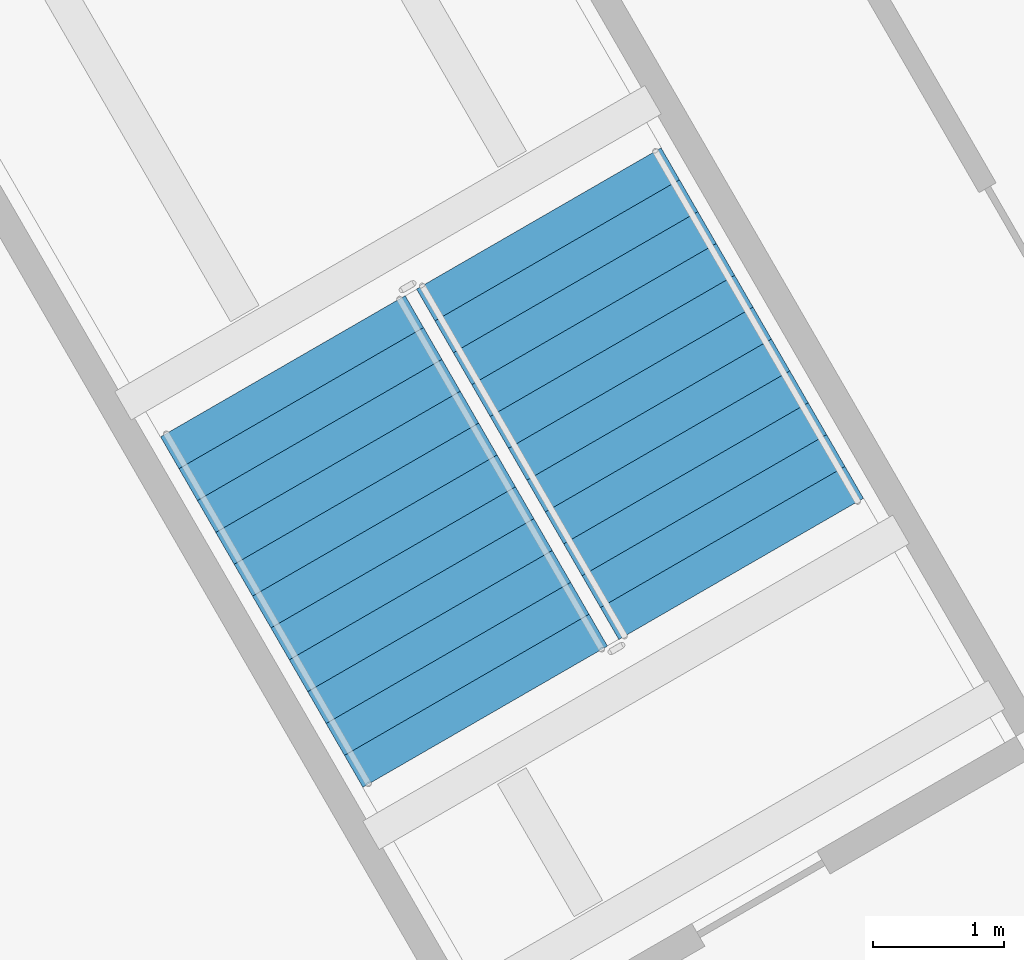
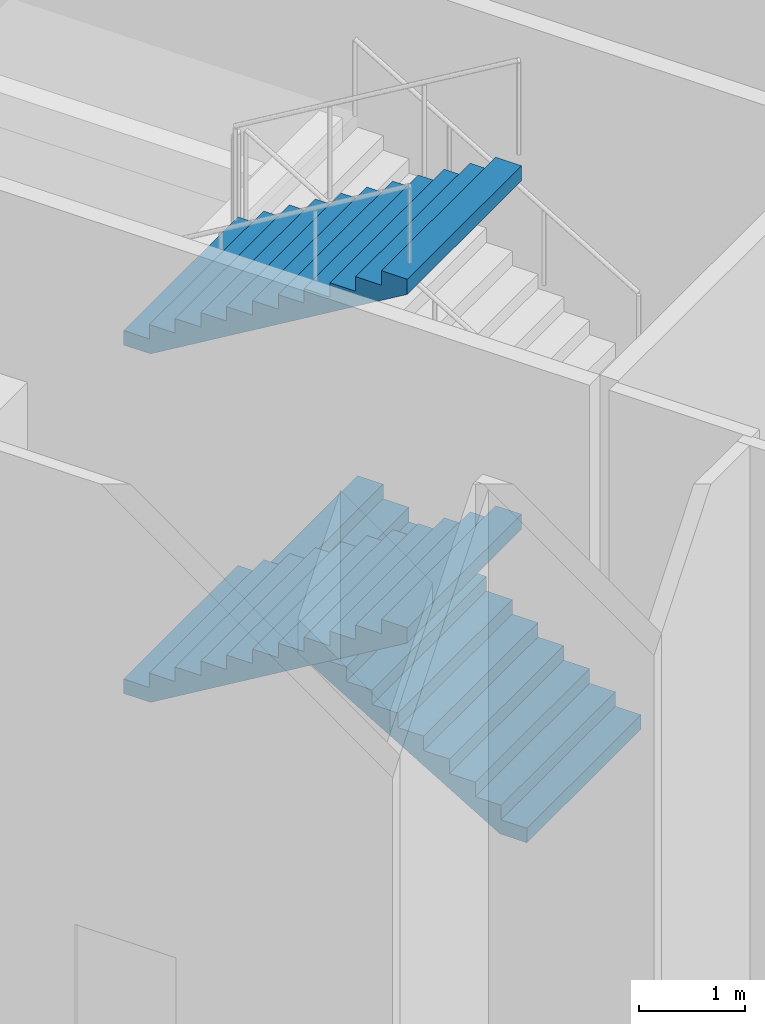
# One storey, part 13 of 30: 3 stair flights, 1 element without a shape of its own.
"""IFC4 building model written with IfcOpenShell, lengths in metres."""

from ifc_helpers import new_model, si_unit, direction, frame, origin, place, context, subcontext, project, spatial, triangles, material, type_object, element, aggregate, save


model = new_model("IFC4")

# Units and contexts
model_context = context("Model", 3, precision=1e-05, world=origin(), true_north=direction((0.0, 1.0)))
body_context = subcontext(model_context, "Body", "Model", "MODEL_VIEW")
ifc_project = project(units=[si_unit("LENGTHUNIT", "METRE"), si_unit("AREAUNIT", "SQUARE_METRE"), si_unit("VOLUMEUNIT", "CUBIC_METRE"), si_unit("PLANEANGLEUNIT", "RADIAN"), si_unit("MASSUNIT", "GRAM", prefix="KILO")], contexts=[model_context])

# Site, building, storey
site_placement = place(None, origin())
site = spatial("IfcSite", under=ifc_project, at=site_placement, CompositionType="ELEMENT")
building_placement = place(site_placement, origin())
building = spatial("IfcBuilding", under=site, at=building_placement, Name="Verdalira Terraces Hotel", CompositionType="ELEMENT")
storey_placement = place(building_placement, origin())
storey = spatial("IfcBuildingStorey", under=building, at=storey_placement, Name="L00", CompositionType="ELEMENT", Elevation=0.0)

# Stair, stair flights
ifc_material_1 = material(Name="Concrete C40", Category="concrete")
stair_type = type_object("IfcStairType", Name="Podium stair 48 risers", PredefinedType="HALF_TURN_STAIR", material=ifc_material_1)
stair_placement = place(storey_placement, origin())
stair = element("IfcStair", 1, at=stair_placement, inside=storey, type_object=stair_type, Name="L00 Exit stair PS2", PredefinedType="HALF_TURN_STAIR")
ifc_material_2 = material(Name="Concrete C40", Category="concrete")
stair_flight_type = type_object("IfcStairFlightType", Name="Podium stair flight 48 risers", PredefinedType="STRAIGHT", material=ifc_material_2)
stair_flight_1_placement = place(storey_placement, frame((-27.056396, -16.487061, 0.0), z_axis=(0.0, 0.0, 1.0), x_axis=(-0.5, 0.866025404, 0.0)))
stair_flight_1 = element("IfcStairFlight", 2, at=stair_flight_1_placement, type_object=stair_flight_type, Name="PS2 flight 1", NumberOfRisers=12, NumberOfTreads=11, PredefinedType="STRAIGHT", RiserHeight=0.166666667, TreadLength=0.28, context=body_context, shape_type="Tessellation", body=[
    triangles([(0.0, 1.074951, 0.0), (0.292969, 1.074951, 0.0), (3.080078, 1.074951, 1.658936), (0.0, -1.074951, 0.0), (0.292969, -1.074951, 0.0), (3.080078, -1.074951, 1.658936), (3.080078, 1.074951, 1.833252), (2.800049, 1.074951, 1.833252), (3.080078, -1.074951, 1.833252), (2.800049, -1.074951, 1.833252), (2.800049, 1.074951, 1.666748), (2.800049, -1.074951, 1.666748), (2.52002, 1.074951, 1.666748), (2.52002, -1.074951, 1.666748), (2.52002, 1.074951, 1.5), (2.52002, -1.074951, 1.5), (2.23999, 1.074951, 1.5), (2.23999, 1.074951, 1.333252), (2.23999, -1.074951, 1.5), (2.23999, -1.074951, 1.333252), (1.959961, 1.074951, 1.333252), (1.959961, 1.074951, 1.166748), (1.959961, -1.074951, 1.333252), (1.959961, -1.074951, 1.166748), (1.679932, 1.074951, 1.166748), (1.679932, 1.074951, 1.0), (1.679932, -1.074951, 1.166748), (1.679932, -1.074951, 1.0), (1.399902, 1.074951, 1.0), (1.399902, 1.074951, 0.833252), (1.399902, -1.074951, 1.0), (1.399902, -1.074951, 0.833252), (1.120117, 1.074951, 0.833252), (1.120117, 1.074951, 0.666748), (1.120117, -1.074951, 0.833252), (1.120117, -1.074951, 0.666748), (0.840088, 1.074951, 0.666748), (0.840088, 1.074951, 0.5), (0.840088, -1.074951, 0.666748), (0.840088, -1.074951, 0.5), (0.560059, 1.074951, 0.5), (0.560059, 1.074951, 0.333252), (0.560059, -1.074951, 0.5), (0.560059, -1.074951, 0.333252), (0.280029, 1.074951, 0.333252), (0.280029, 1.074951, 0.166748), (0.280029, -1.074951, 0.333252), (0.280029, -1.074951, 0.166748), (0.0, 1.074951, 0.166748), (0.0, -1.074951, 0.166748), (0.0, -1.007767, 0.0), (0.0, -1.007767, 0.166748), (0.0, -0.940582, 0.0), (0.0, -0.940582, 0.166748), (0.0, -0.873398, 0.0), (0.0, -0.873398, 0.166748), (0.0, -0.806213, 0.0), (0.0, -0.806213, 0.166748), (0.0, -0.739029, 0.0), (0.0, -0.739029, 0.166748), (0.0, -0.671844, 0.0), (0.0, -0.671844, 0.166748), (0.0, -0.60466, 0.0), (0.0, -0.60466, 0.166748), (0.0, -0.537476, 0.0), (0.0, -0.537476, 0.166748), (0.0, -0.470291, 0.0), (0.0, -0.470291, 0.166748), (0.0, -0.403107, 0.0), (0.0, -0.403107, 0.166748), (0.0, -0.335922, 0.0), (0.0, -0.335922, 0.166748), (0.0, -0.268738, 0.0), (0.0, -0.268738, 0.166748), (0.0, -0.201553, 0.0), (0.0, -0.201553, 0.166748), (0.0, -0.134369, 0.0), (0.0, -0.134369, 0.166748), (0.0, -0.067184, 0.0), (0.0, -0.067184, 0.166748), (0.0, 0.0, 0.0), (0.0, 0.0, 0.166748), (0.0, 0.067184, 0.0), (0.0, 0.067184, 0.166748), (0.0, 0.134369, 0.0), (0.0, 0.134369, 0.166748), (0.0, 0.201553, 0.0), (0.0, 0.201553, 0.166748), (0.0, 0.268738, 0.0), (0.0, 0.268738, 0.166748), (0.0, 0.335922, 0.0), (0.0, 0.335922, 0.166748), (0.0, 0.403107, 0.0), (0.0, 0.403107, 0.166748), (0.0, 0.470291, 0.0), (0.0, 0.470291, 0.166748), (0.0, 0.537476, 0.0), (0.0, 0.537476, 0.166748), (0.0, 0.60466, 0.0), (0.0, 0.60466, 0.166748), (0.0, 0.671844, 0.0), (0.0, 0.671844, 0.166748), (0.0, 0.739029, 0.0), (0.0, 0.739029, 0.166748), (0.0, 0.806213, 0.0), (0.0, 0.806213, 0.166748), (0.0, 0.873398, 0.0), (0.0, 0.873398, 0.166748), (0.0, 0.940582, 0.0), (0.0, 0.940582, 0.166748), (0.0, 1.007767, 0.0), (0.0, 1.007767, 0.166748), (3.080078, -1.007767, 1.833252), (3.080078, -0.940582, 1.833252), (3.080078, -0.873398, 1.833252), (3.080078, -0.806213, 1.833252), (3.080078, -0.739029, 1.833252), (3.080078, -0.671844, 1.833252), (3.080078, -0.60466, 1.833252), (3.080078, -0.537476, 1.833252), (3.080078, -0.470291, 1.833252), (3.080078, -0.403107, 1.833252), (3.080078, -0.335922, 1.833252), (3.080078, -0.268738, 1.833252), (3.080078, -0.201553, 1.833252), (3.080078, -0.134369, 1.833252), (3.080078, -0.067184, 1.833252), (3.080078, 0.0, 1.833252), (3.080078, 0.067184, 1.833252), (3.080078, 0.134369, 1.833252), (3.080078, 0.201553, 1.833252), (3.080078, 0.268738, 1.833252), (3.080078, 0.335922, 1.833252), (3.080078, 0.403107, 1.833252), (3.080078, 0.470291, 1.833252), (3.080078, 0.537476, 1.833252), (3.080078, 0.60466, 1.833252), (3.080078, 0.671844, 1.833252), (3.080078, 0.739029, 1.833252), (3.080078, 0.806213, 1.833252), (3.080078, 0.873398, 1.833252), (3.080078, 0.940582, 1.833252), (3.080078, 1.007767, 1.833252), (3.080078, -1.007767, 1.658936), (3.080078, -0.940582, 1.658936), (3.080078, -0.873398, 1.658936), (3.080078, -0.806213, 1.658936), (3.080078, -0.739029, 1.658936), (3.080078, -0.671844, 1.658936), (3.080078, -0.60466, 1.658936), (3.080078, -0.537476, 1.658936), (3.080078, -0.470291, 1.658936), (3.080078, -0.403107, 1.658936), (3.080078, -0.335922, 1.658936), (3.080078, -0.268738, 1.658936), (3.080078, -0.201553, 1.658936), (3.080078, -0.134369, 1.658936), (3.080078, -0.067184, 1.658936), (3.080078, 0.0, 1.658936), (3.080078, 0.067184, 1.658936), (3.080078, 0.134369, 1.658936), (3.080078, 0.201553, 1.658936), (3.080078, 0.268738, 1.658936), (3.080078, 0.335922, 1.658936), (3.080078, 0.403107, 1.658936), (3.080078, 0.470291, 1.658936), (3.080078, 0.537476, 1.658936), (3.080078, 0.60466, 1.658936), (3.080078, 0.671844, 1.658936), (3.080078, 0.739029, 1.658936), (3.080078, 0.806213, 1.658936), (3.080078, 0.873398, 1.658936), (3.080078, 0.940582, 1.658936), (3.080078, 1.007767, 1.658936)], [[1, 3, 2], [4, 5, 6], [3, 8, 7], [6, 9, 10], [3, 11, 8], [6, 10, 12], [3, 13, 11], [6, 12, 14], [3, 15, 13], [6, 14, 16], [15, 18, 17], [16, 19, 20], [3, 18, 15], [6, 16, 20], [18, 22, 21], [20, 23, 24], [3, 22, 18], [6, 20, 24], [22, 26, 25], [24, 27, 28], [3, 26, 22], [6, 24, 28], [26, 30, 29], [28, 31, 32], [3, 30, 26], [6, 28, 32], [30, 34, 33], [32, 35, 36], [3, 34, 30], [6, 32, 36], [34, 38, 37], [36, 39, 40], [3, 38, 34], [6, 36, 40], [38, 42, 41], [40, 43, 44], [3, 42, 38], [6, 40, 44], [1, 42, 3], [4, 6, 44], [42, 46, 45], [44, 47, 48], [1, 46, 42], [4, 44, 48], [46, 1, 49], [48, 50, 4], [4, 52, 51], [4, 50, 52], [51, 54, 53], [51, 52, 54], [53, 56, 55], [53, 54, 56], [55, 58, 57], [55, 56, 58], [57, 60, 59], [57, 58, 60], [59, 62, 61], [59, 60, 62], [61, 64, 63], [61, 62, 64], [63, 66, 65], [63, 64, 66], [65, 68, 67], [65, 66, 68], [67, 70, 69], [67, 68, 70], [69, 72, 71], [69, 70, 72], [71, 74, 73], [71, 72, 74], [73, 76, 75], [73, 74, 76], [75, 78, 77], [75, 76, 78], [77, 80, 79], [77, 78, 80], [79, 82, 81], [79, 80, 82], [81, 84, 83], [81, 82, 84], [83, 86, 85], [83, 84, 86], [85, 88, 87], [85, 86, 88], [87, 90, 89], [87, 88, 90], [89, 92, 91], [89, 90, 92], [91, 94, 93], [91, 92, 94], [93, 96, 95], [93, 94, 96], [95, 98, 97], [95, 96, 98], [97, 100, 99], [97, 98, 100], [99, 102, 101], [99, 100, 102], [101, 104, 103], [101, 102, 104], [103, 106, 105], [103, 104, 106], [105, 108, 107], [105, 106, 108], [107, 110, 109], [107, 108, 110], [109, 112, 111], [109, 110, 112], [111, 49, 1], [111, 112, 49], [50, 48, 52], [52, 48, 54], [54, 48, 56], [56, 48, 58], [58, 48, 60], [60, 48, 62], [62, 48, 64], [64, 48, 66], [66, 48, 68], [68, 48, 70], [70, 48, 72], [72, 48, 74], [74, 48, 76], [76, 48, 78], [78, 48, 80], [80, 48, 82], [82, 48, 84], [84, 48, 86], [86, 48, 88], [88, 48, 90], [90, 48, 92], [92, 48, 94], [94, 48, 96], [96, 48, 98], [98, 48, 100], [100, 48, 102], [102, 48, 104], [104, 48, 106], [106, 48, 108], [108, 48, 110], [110, 48, 112], [112, 48, 49], [49, 48, 46], [48, 45, 46], [48, 47, 45], [47, 42, 45], [47, 44, 42], [44, 41, 42], [44, 43, 41], [43, 38, 41], [43, 40, 38], [40, 37, 38], [40, 39, 37], [39, 34, 37], [39, 36, 34], [36, 33, 34], [36, 35, 33], [35, 30, 33], [35, 32, 30], [32, 29, 30], [32, 31, 29], [31, 26, 29], [31, 28, 26], [28, 25, 26], [28, 27, 25], [27, 22, 25], [27, 24, 22], [24, 21, 22], [24, 23, 21], [23, 18, 21], [23, 20, 18], [20, 17, 18], [20, 19, 17], [19, 15, 17], [19, 16, 15], [16, 13, 15], [16, 14, 13], [14, 11, 13], [14, 12, 11], [12, 8, 11], [12, 10, 8], [9, 113, 10], [113, 114, 10], [114, 115, 10], [115, 116, 10], [116, 117, 10], [117, 118, 10], [118, 119, 10], [119, 120, 10], [120, 121, 10], [121, 122, 10], [122, 123, 10], [123, 124, 10], [124, 125, 10], [125, 126, 10], [126, 127, 10], [127, 128, 10], [128, 129, 10], [129, 130, 10], [130, 131, 10], [131, 132, 10], [132, 133, 10], [133, 134, 10], [134, 135, 10], [135, 136, 10], [136, 137, 10], [137, 138, 10], [138, 139, 10], [139, 140, 10], [140, 141, 10], [141, 142, 10], [142, 143, 10], [143, 7, 10], [7, 8, 10], [9, 144, 113], [9, 6, 144], [113, 145, 114], [113, 144, 145], [114, 146, 115], [114, 145, 146], [115, 147, 116], [115, 146, 147], [116, 148, 117], [116, 147, 148], [117, 149, 118], [117, 148, 149], [118, 150, 119], [118, 149, 150], [119, 151, 120], [119, 150, 151], [120, 152, 121], [120, 151, 152], [121, 153, 122], [121, 152, 153], [122, 154, 123], [122, 153, 154], [123, 155, 124], [123, 154, 155], [124, 156, 125], [124, 155, 156], [125, 157, 126], [125, 156, 157], [126, 158, 127], [126, 157, 158], [127, 159, 128], [127, 158, 159], [128, 160, 129], [128, 159, 160], [129, 161, 130], [129, 160, 161], [130, 162, 131], [130, 161, 162], [131, 163, 132], [131, 162, 163], [132, 164, 133], [132, 163, 164], [133, 165, 134], [133, 164, 165], [134, 166, 135], [134, 165, 166], [135, 167, 136], [135, 166, 167], [136, 168, 137], [136, 167, 168], [137, 169, 138], [137, 168, 169], [138, 170, 139], [138, 169, 170], [139, 171, 140], [139, 170, 171], [140, 172, 141], [140, 171, 172], [141, 173, 142], [141, 172, 173], [142, 174, 143], [142, 173, 174], [143, 3, 7], [143, 174, 3], [6, 5, 144], [144, 5, 145], [145, 5, 146], [146, 5, 147], [147, 5, 148], [148, 5, 149], [149, 5, 150], [150, 5, 151], [151, 5, 152], [152, 5, 153], [153, 5, 154], [154, 5, 155], [155, 5, 156], [156, 5, 157], [157, 5, 158], [158, 5, 159], [159, 5, 160], [160, 5, 161], [161, 5, 162], [162, 5, 163], [163, 5, 164], [164, 5, 165], [165, 5, 166], [166, 5, 167], [167, 5, 168], [168, 5, 169], [169, 5, 170], [170, 5, 171], [171, 5, 172], [172, 5, 173], [173, 5, 174], [174, 5, 3], [3, 5, 2], [4, 51, 5], [51, 53, 5], [53, 55, 5], [55, 57, 5], [57, 59, 5], [59, 61, 5], [61, 63, 5], [63, 65, 5], [65, 67, 5], [67, 69, 5], [69, 71, 5], [71, 73, 5], [73, 75, 5], [75, 77, 5], [77, 79, 5], [79, 81, 5], [81, 83, 5], [83, 85, 5], [85, 87, 5], [87, 89, 5], [89, 91, 5], [91, 93, 5], [93, 95, 5], [95, 97, 5], [97, 99, 5], [99, 101, 5], [101, 103, 5], [103, 105, 5], [105, 107, 5], [107, 109, 5], [109, 111, 5], [111, 1, 5], [1, 2, 5]], closed=True),
])
stair_flight_2_placement = place(storey_placement, frame((-30.544922, -14.94458, 2.0), z_axis=(0.0, 0.0, 1.0), x_axis=(0.5, -0.866025404, 0.0)))
stair_flight_2 = element("IfcStairFlight", 3, at=stair_flight_2_placement, type_object=stair_flight_type, Name="PS2 flight 2", NumberOfRisers=12, NumberOfTreads=11, PredefinedType="STRAIGHT", RiserHeight=0.166666667, TreadLength=0.28, context=body_context, shape_type="Tessellation", body=[
    triangles([(0.0, 1.074951, 0.0), (0.292969, 1.074951, 0.0), (3.080078, 1.074951, 1.658936), (0.0, -1.074951, 0.0), (0.292969, -1.074951, 0.0), (3.080078, -1.074951, 1.658936), (3.080078, 1.074951, 1.833252), (2.800049, 1.074951, 1.833252), (3.080078, -1.074951, 1.833252), (2.800049, -1.074951, 1.833252), (2.800049, 1.074951, 1.666748), (2.800049, -1.074951, 1.666748), (2.52002, 1.074951, 1.666748), (2.52002, -1.074951, 1.666748), (2.52002, 1.074951, 1.5), (2.52002, -1.074951, 1.5), (2.23999, 1.074951, 1.5), (2.23999, 1.074951, 1.333252), (2.23999, -1.074951, 1.5), (2.23999, -1.074951, 1.333252), (1.959961, 1.074951, 1.333252), (1.959961, 1.074951, 1.166748), (1.959961, -1.074951, 1.333252), (1.959961, -1.074951, 1.166748), (1.679932, 1.074951, 1.166748), (1.679932, 1.074951, 1.0), (1.679932, -1.074951, 1.166748), (1.679932, -1.074951, 1.0), (1.399902, 1.074951, 1.0), (1.399902, 1.074951, 0.833252), (1.399902, -1.074951, 1.0), (1.399902, -1.074951, 0.833252), (1.120117, 1.074951, 0.833252), (1.120117, 1.074951, 0.666748), (1.120117, -1.074951, 0.833252), (1.120117, -1.074951, 0.666748), (0.840088, 1.074951, 0.666748), (0.840088, 1.074951, 0.5), (0.840088, -1.074951, 0.666748), (0.840088, -1.074951, 0.5), (0.560059, 1.074951, 0.5), (0.560059, 1.074951, 0.333252), (0.560059, -1.074951, 0.5), (0.560059, -1.074951, 0.333252), (0.280029, 1.074951, 0.333252), (0.280029, 1.074951, 0.166748), (0.280029, -1.074951, 0.333252), (0.280029, -1.074951, 0.166748), (0.0, 1.074951, 0.166748), (0.0, -1.074951, 0.166748), (0.0, -1.007767, 0.0), (0.0, -1.007767, 0.166748), (0.0, -0.940582, 0.0), (0.0, -0.940582, 0.166748), (0.0, -0.873398, 0.0), (0.0, -0.873398, 0.166748), (0.0, -0.806213, 0.0), (0.0, -0.806213, 0.166748), (0.0, -0.739029, 0.0), (0.0, -0.739029, 0.166748), (0.0, -0.671844, 0.0), (0.0, -0.671844, 0.166748), (0.0, -0.60466, 0.0), (0.0, -0.60466, 0.166748), (0.0, -0.537476, 0.0), (0.0, -0.537476, 0.166748), (0.0, -0.470291, 0.0), (0.0, -0.470291, 0.166748), (0.0, -0.403107, 0.0), (0.0, -0.403107, 0.166748), (0.0, -0.335922, 0.0), (0.0, -0.335922, 0.166748), (0.0, -0.268738, 0.0), (0.0, -0.268738, 0.166748), (0.0, -0.201553, 0.0), (0.0, -0.201553, 0.166748), (0.0, -0.134369, 0.0), (0.0, -0.134369, 0.166748), (0.0, -0.067184, 0.0), (0.0, -0.067184, 0.166748), (0.0, 0.0, 0.0), (0.0, 0.0, 0.166748), (0.0, 0.067184, 0.0), (0.0, 0.067184, 0.166748), (0.0, 0.134369, 0.0), (0.0, 0.134369, 0.166748), (0.0, 0.201553, 0.0), (0.0, 0.201553, 0.166748), (0.0, 0.268738, 0.0), (0.0, 0.268738, 0.166748), (0.0, 0.335922, 0.0), (0.0, 0.335922, 0.166748), (0.0, 0.403107, 0.0), (0.0, 0.403107, 0.166748), (0.0, 0.470291, 0.0), (0.0, 0.470291, 0.166748), (0.0, 0.537476, 0.0), (0.0, 0.537476, 0.166748), (0.0, 0.60466, 0.0), (0.0, 0.60466, 0.166748), (0.0, 0.671844, 0.0), (0.0, 0.671844, 0.166748), (0.0, 0.739029, 0.0), (0.0, 0.739029, 0.166748), (0.0, 0.806213, 0.0), (0.0, 0.806213, 0.166748), (0.0, 0.873398, 0.0), (0.0, 0.873398, 0.166748), (0.0, 0.940582, 0.0), (0.0, 0.940582, 0.166748), (0.0, 1.007767, 0.0), (0.0, 1.007767, 0.166748), (3.080078, -1.007767, 1.833252), (3.080078, -0.940582, 1.833252), (3.080078, -0.873398, 1.833252), (3.080078, -0.806213, 1.833252), (3.080078, -0.739029, 1.833252), (3.080078, -0.671844, 1.833252), (3.080078, -0.60466, 1.833252), (3.080078, -0.537476, 1.833252), (3.080078, -0.470291, 1.833252), (3.080078, -0.403107, 1.833252), (3.080078, -0.335922, 1.833252), (3.080078, -0.268738, 1.833252), (3.080078, -0.201553, 1.833252), (3.080078, -0.134369, 1.833252), (3.080078, -0.067184, 1.833252), (3.080078, 0.0, 1.833252), (3.080078, 0.067184, 1.833252), (3.080078, 0.134369, 1.833252), (3.080078, 0.201553, 1.833252), (3.080078, 0.268738, 1.833252), (3.080078, 0.335922, 1.833252), (3.080078, 0.403107, 1.833252), (3.080078, 0.470291, 1.833252), (3.080078, 0.537476, 1.833252), (3.080078, 0.60466, 1.833252), (3.080078, 0.671844, 1.833252), (3.080078, 0.739029, 1.833252), (3.080078, 0.806213, 1.833252), (3.080078, 0.873398, 1.833252), (3.080078, 0.940582, 1.833252), (3.080078, 1.007767, 1.833252), (3.080078, -1.007767, 1.658936), (3.080078, -0.940582, 1.658936), (3.080078, -0.873398, 1.658936), (3.080078, -0.806213, 1.658936), (3.080078, -0.739029, 1.658936), (3.080078, -0.671844, 1.658936), (3.080078, -0.60466, 1.658936), (3.080078, -0.537476, 1.658936), (3.080078, -0.470291, 1.658936), (3.080078, -0.403107, 1.658936), (3.080078, -0.335922, 1.658936), (3.080078, -0.268738, 1.658936), (3.080078, -0.201553, 1.658936), (3.080078, -0.134369, 1.658936), (3.080078, -0.067184, 1.658936), (3.080078, 0.0, 1.658936), (3.080078, 0.067184, 1.658936), (3.080078, 0.134369, 1.658936), (3.080078, 0.201553, 1.658936), (3.080078, 0.268738, 1.658936), (3.080078, 0.335922, 1.658936), (3.080078, 0.403107, 1.658936), (3.080078, 0.470291, 1.658936), (3.080078, 0.537476, 1.658936), (3.080078, 0.60466, 1.658936), (3.080078, 0.671844, 1.658936), (3.080078, 0.739029, 1.658936), (3.080078, 0.806213, 1.658936), (3.080078, 0.873398, 1.658936), (3.080078, 0.940582, 1.658936), (3.080078, 1.007767, 1.658936)], [[1, 3, 2], [4, 5, 6], [3, 8, 7], [6, 9, 10], [3, 11, 8], [6, 10, 12], [3, 13, 11], [6, 12, 14], [3, 15, 13], [6, 14, 16], [15, 18, 17], [16, 19, 20], [3, 18, 15], [6, 16, 20], [18, 22, 21], [20, 23, 24], [3, 22, 18], [6, 20, 24], [22, 26, 25], [24, 27, 28], [3, 26, 22], [6, 24, 28], [26, 30, 29], [28, 31, 32], [3, 30, 26], [6, 28, 32], [30, 34, 33], [32, 35, 36], [3, 34, 30], [6, 32, 36], [34, 38, 37], [36, 39, 40], [3, 38, 34], [6, 36, 40], [38, 42, 41], [40, 43, 44], [3, 42, 38], [6, 40, 44], [1, 42, 3], [4, 6, 44], [42, 46, 45], [44, 47, 48], [1, 46, 42], [4, 44, 48], [46, 1, 49], [48, 50, 4], [4, 52, 51], [4, 50, 52], [51, 54, 53], [51, 52, 54], [53, 56, 55], [53, 54, 56], [55, 58, 57], [55, 56, 58], [57, 60, 59], [57, 58, 60], [59, 62, 61], [59, 60, 62], [61, 64, 63], [61, 62, 64], [63, 66, 65], [63, 64, 66], [65, 68, 67], [65, 66, 68], [67, 70, 69], [67, 68, 70], [69, 72, 71], [69, 70, 72], [71, 74, 73], [71, 72, 74], [73, 76, 75], [73, 74, 76], [75, 78, 77], [75, 76, 78], [77, 80, 79], [77, 78, 80], [79, 82, 81], [79, 80, 82], [81, 84, 83], [81, 82, 84], [83, 86, 85], [83, 84, 86], [85, 88, 87], [85, 86, 88], [87, 90, 89], [87, 88, 90], [89, 92, 91], [89, 90, 92], [91, 94, 93], [91, 92, 94], [93, 96, 95], [93, 94, 96], [95, 98, 97], [95, 96, 98], [97, 100, 99], [97, 98, 100], [99, 102, 101], [99, 100, 102], [101, 104, 103], [101, 102, 104], [103, 106, 105], [103, 104, 106], [105, 108, 107], [105, 106, 108], [107, 110, 109], [107, 108, 110], [109, 112, 111], [109, 110, 112], [111, 49, 1], [111, 112, 49], [50, 48, 52], [52, 48, 54], [54, 48, 56], [56, 48, 58], [58, 48, 60], [60, 48, 62], [62, 48, 64], [64, 48, 66], [66, 48, 68], [68, 48, 70], [70, 48, 72], [72, 48, 74], [74, 48, 76], [76, 48, 78], [78, 48, 80], [80, 48, 82], [82, 48, 84], [84, 48, 86], [86, 48, 88], [88, 48, 90], [90, 48, 92], [92, 48, 94], [94, 48, 96], [96, 48, 98], [98, 48, 100], [100, 48, 102], [102, 48, 104], [104, 48, 106], [106, 48, 108], [108, 48, 110], [110, 48, 112], [112, 48, 49], [49, 48, 46], [48, 45, 46], [48, 47, 45], [47, 42, 45], [47, 44, 42], [44, 41, 42], [44, 43, 41], [43, 38, 41], [43, 40, 38], [40, 37, 38], [40, 39, 37], [39, 34, 37], [39, 36, 34], [36, 33, 34], [36, 35, 33], [35, 30, 33], [35, 32, 30], [32, 29, 30], [32, 31, 29], [31, 26, 29], [31, 28, 26], [28, 25, 26], [28, 27, 25], [27, 22, 25], [27, 24, 22], [24, 21, 22], [24, 23, 21], [23, 18, 21], [23, 20, 18], [20, 17, 18], [20, 19, 17], [19, 15, 17], [19, 16, 15], [16, 13, 15], [16, 14, 13], [14, 11, 13], [14, 12, 11], [12, 8, 11], [12, 10, 8], [9, 113, 10], [113, 114, 10], [114, 115, 10], [115, 116, 10], [116, 117, 10], [117, 118, 10], [118, 119, 10], [119, 120, 10], [120, 121, 10], [121, 122, 10], [122, 123, 10], [123, 124, 10], [124, 125, 10], [125, 126, 10], [126, 127, 10], [127, 128, 10], [128, 129, 10], [129, 130, 10], [130, 131, 10], [131, 132, 10], [132, 133, 10], [133, 134, 10], [134, 135, 10], [135, 136, 10], [136, 137, 10], [137, 138, 10], [138, 139, 10], [139, 140, 10], [140, 141, 10], [141, 142, 10], [142, 143, 10], [143, 7, 10], [7, 8, 10], [9, 144, 113], [9, 6, 144], [113, 145, 114], [113, 144, 145], [114, 146, 115], [114, 145, 146], [115, 147, 116], [115, 146, 147], [116, 148, 117], [116, 147, 148], [117, 149, 118], [117, 148, 149], [118, 150, 119], [118, 149, 150], [119, 151, 120], [119, 150, 151], [120, 152, 121], [120, 151, 152], [121, 153, 122], [121, 152, 153], [122, 154, 123], [122, 153, 154], [123, 155, 124], [123, 154, 155], [124, 156, 125], [124, 155, 156], [125, 157, 126], [125, 156, 157], [126, 158, 127], [126, 157, 158], [127, 159, 128], [127, 158, 159], [128, 160, 129], [128, 159, 160], [129, 161, 130], [129, 160, 161], [130, 162, 131], [130, 161, 162], [131, 163, 132], [131, 162, 163], [132, 164, 133], [132, 163, 164], [133, 165, 134], [133, 164, 165], [134, 166, 135], [134, 165, 166], [135, 167, 136], [135, 166, 167], [136, 168, 137], [136, 167, 168], [137, 169, 138], [137, 168, 169], [138, 170, 139], [138, 169, 170], [139, 171, 140], [139, 170, 171], [140, 172, 141], [140, 171, 172], [141, 173, 142], [141, 172, 173], [142, 174, 143], [142, 173, 174], [143, 3, 7], [143, 174, 3], [6, 5, 144], [144, 5, 145], [145, 5, 146], [146, 5, 147], [147, 5, 148], [148, 5, 149], [149, 5, 150], [150, 5, 151], [151, 5, 152], [152, 5, 153], [153, 5, 154], [154, 5, 155], [155, 5, 156], [156, 5, 157], [157, 5, 158], [158, 5, 159], [159, 5, 160], [160, 5, 161], [161, 5, 162], [162, 5, 163], [163, 5, 164], [164, 5, 165], [165, 5, 166], [166, 5, 167], [167, 5, 168], [168, 5, 169], [169, 5, 170], [170, 5, 171], [171, 5, 172], [172, 5, 173], [173, 5, 174], [174, 5, 3], [3, 5, 2], [4, 51, 5], [51, 53, 5], [53, 55, 5], [55, 57, 5], [57, 59, 5], [59, 61, 5], [61, 63, 5], [63, 65, 5], [65, 67, 5], [67, 69, 5], [69, 71, 5], [71, 73, 5], [73, 75, 5], [75, 77, 5], [77, 79, 5], [79, 81, 5], [81, 83, 5], [83, 85, 5], [85, 87, 5], [87, 89, 5], [89, 91, 5], [91, 93, 5], [93, 95, 5], [95, 97, 5], [97, 99, 5], [99, 101, 5], [101, 103, 5], [103, 105, 5], [105, 107, 5], [107, 109, 5], [109, 111, 5], [111, 1, 5], [1, 2, 5]], closed=True),
])
stair_flight_3_placement = place(storey_placement, frame((-30.544922, -14.94458, 6.0), z_axis=(0.0, 0.0, 1.0), x_axis=(0.5, -0.866025404, 0.0)))
stair_flight_3 = element("IfcStairFlight", 4, at=stair_flight_3_placement, type_object=stair_flight_type, Name="PS2 flight 4", NumberOfRisers=12, NumberOfTreads=11, PredefinedType="STRAIGHT", RiserHeight=0.166666667, TreadLength=0.28, context=body_context, shape_type="Tessellation", body=[
    triangles([(0.0, 1.074951, 0.0), (0.292969, 1.074951, 0.0), (3.080078, 1.074951, 1.658936), (0.0, -1.074951, 0.0), (0.292969, -1.074951, 0.0), (3.080078, -1.074951, 1.658936), (3.080078, 1.074951, 1.833252), (2.800049, 1.074951, 1.833252), (3.080078, -1.074951, 1.833252), (2.800049, -1.074951, 1.833252), (2.800049, 1.074951, 1.666748), (2.800049, -1.074951, 1.666748), (2.52002, 1.074951, 1.666748), (2.52002, -1.074951, 1.666748), (2.52002, 1.074951, 1.5), (2.52002, -1.074951, 1.5), (2.23999, 1.074951, 1.5), (2.23999, 1.074951, 1.333252), (2.23999, -1.074951, 1.5), (2.23999, -1.074951, 1.333252), (1.959961, 1.074951, 1.333252), (1.959961, 1.074951, 1.166748), (1.959961, -1.074951, 1.333252), (1.959961, -1.074951, 1.166748), (1.679932, 1.074951, 1.166748), (1.679932, 1.074951, 1.0), (1.679932, -1.074951, 1.166748), (1.679932, -1.074951, 1.0), (1.399902, 1.074951, 1.0), (1.399902, 1.074951, 0.833252), (1.399902, -1.074951, 1.0), (1.399902, -1.074951, 0.833252), (1.120117, 1.074951, 0.833252), (1.120117, 1.074951, 0.666748), (1.120117, -1.074951, 0.833252), (1.120117, -1.074951, 0.666748), (0.840088, 1.074951, 0.666748), (0.840088, 1.074951, 0.5), (0.840088, -1.074951, 0.666748), (0.840088, -1.074951, 0.5), (0.560059, 1.074951, 0.5), (0.560059, 1.074951, 0.333252), (0.560059, -1.074951, 0.5), (0.560059, -1.074951, 0.333252), (0.280029, 1.074951, 0.333252), (0.280029, 1.074951, 0.166748), (0.280029, -1.074951, 0.333252), (0.280029, -1.074951, 0.166748), (0.0, 1.074951, 0.166748), (0.0, -1.074951, 0.166748), (0.0, -1.007767, 0.0), (0.0, -1.007767, 0.166748), (0.0, -0.940582, 0.0), (0.0, -0.940582, 0.166748), (0.0, -0.873398, 0.0), (0.0, -0.873398, 0.166748), (0.0, -0.806213, 0.0), (0.0, -0.806213, 0.166748), (0.0, -0.739029, 0.0), (0.0, -0.739029, 0.166748), (0.0, -0.671844, 0.0), (0.0, -0.671844, 0.166748), (0.0, -0.60466, 0.0), (0.0, -0.60466, 0.166748), (0.0, -0.537476, 0.0), (0.0, -0.537476, 0.166748), (0.0, -0.470291, 0.0), (0.0, -0.470291, 0.166748), (0.0, -0.403107, 0.0), (0.0, -0.403107, 0.166748), (0.0, -0.335922, 0.0), (0.0, -0.335922, 0.166748), (0.0, -0.268738, 0.0), (0.0, -0.268738, 0.166748), (0.0, -0.201553, 0.0), (0.0, -0.201553, 0.166748), (0.0, -0.134369, 0.0), (0.0, -0.134369, 0.166748), (0.0, -0.067184, 0.0), (0.0, -0.067184, 0.166748), (0.0, 0.0, 0.0), (0.0, 0.0, 0.166748), (0.0, 0.067184, 0.0), (0.0, 0.067184, 0.166748), (0.0, 0.134369, 0.0), (0.0, 0.134369, 0.166748), (0.0, 0.201553, 0.0), (0.0, 0.201553, 0.166748), (0.0, 0.268738, 0.0), (0.0, 0.268738, 0.166748), (0.0, 0.335922, 0.0), (0.0, 0.335922, 0.166748), (0.0, 0.403107, 0.0), (0.0, 0.403107, 0.166748), (0.0, 0.470291, 0.0), (0.0, 0.470291, 0.166748), (0.0, 0.537476, 0.0), (0.0, 0.537476, 0.166748), (0.0, 0.60466, 0.0), (0.0, 0.60466, 0.166748), (0.0, 0.671844, 0.0), (0.0, 0.671844, 0.166748), (0.0, 0.739029, 0.0), (0.0, 0.739029, 0.166748), (0.0, 0.806213, 0.0), (0.0, 0.806213, 0.166748), (0.0, 0.873398, 0.0), (0.0, 0.873398, 0.166748), (0.0, 0.940582, 0.0), (0.0, 0.940582, 0.166748), (0.0, 1.007767, 0.0), (0.0, 1.007767, 0.166748), (3.080078, -1.007767, 1.833252), (3.080078, -0.940582, 1.833252), (3.080078, -0.873398, 1.833252), (3.080078, -0.806213, 1.833252), (3.080078, -0.739029, 1.833252), (3.080078, -0.671844, 1.833252), (3.080078, -0.60466, 1.833252), (3.080078, -0.537476, 1.833252), (3.080078, -0.470291, 1.833252), (3.080078, -0.403107, 1.833252), (3.080078, -0.335922, 1.833252), (3.080078, -0.268738, 1.833252), (3.080078, -0.201553, 1.833252), (3.080078, -0.134369, 1.833252), (3.080078, -0.067184, 1.833252), (3.080078, 0.0, 1.833252), (3.080078, 0.067184, 1.833252), (3.080078, 0.134369, 1.833252), (3.080078, 0.201553, 1.833252), (3.080078, 0.268738, 1.833252), (3.080078, 0.335922, 1.833252), (3.080078, 0.403107, 1.833252), (3.080078, 0.470291, 1.833252), (3.080078, 0.537476, 1.833252), (3.080078, 0.60466, 1.833252), (3.080078, 0.671844, 1.833252), (3.080078, 0.739029, 1.833252), (3.080078, 0.806213, 1.833252), (3.080078, 0.873398, 1.833252), (3.080078, 0.940582, 1.833252), (3.080078, 1.007767, 1.833252), (3.080078, -1.007767, 1.658936), (3.080078, -0.940582, 1.658936), (3.080078, -0.873398, 1.658936), (3.080078, -0.806213, 1.658936), (3.080078, -0.739029, 1.658936), (3.080078, -0.671844, 1.658936), (3.080078, -0.60466, 1.658936), (3.080078, -0.537476, 1.658936), (3.080078, -0.470291, 1.658936), (3.080078, -0.403107, 1.658936), (3.080078, -0.335922, 1.658936), (3.080078, -0.268738, 1.658936), (3.080078, -0.201553, 1.658936), (3.080078, -0.134369, 1.658936), (3.080078, -0.067184, 1.658936), (3.080078, 0.0, 1.658936), (3.080078, 0.067184, 1.658936), (3.080078, 0.134369, 1.658936), (3.080078, 0.201553, 1.658936), (3.080078, 0.268738, 1.658936), (3.080078, 0.335922, 1.658936), (3.080078, 0.403107, 1.658936), (3.080078, 0.470291, 1.658936), (3.080078, 0.537476, 1.658936), (3.080078, 0.60466, 1.658936), (3.080078, 0.671844, 1.658936), (3.080078, 0.739029, 1.658936), (3.080078, 0.806213, 1.658936), (3.080078, 0.873398, 1.658936), (3.080078, 0.940582, 1.658936), (3.080078, 1.007767, 1.658936)], [[1, 3, 2], [4, 5, 6], [3, 8, 7], [6, 9, 10], [3, 11, 8], [6, 10, 12], [3, 13, 11], [6, 12, 14], [3, 15, 13], [6, 14, 16], [15, 18, 17], [16, 19, 20], [3, 18, 15], [6, 16, 20], [18, 22, 21], [20, 23, 24], [3, 22, 18], [6, 20, 24], [22, 26, 25], [24, 27, 28], [3, 26, 22], [6, 24, 28], [26, 30, 29], [28, 31, 32], [3, 30, 26], [6, 28, 32], [30, 34, 33], [32, 35, 36], [3, 34, 30], [6, 32, 36], [34, 38, 37], [36, 39, 40], [3, 38, 34], [6, 36, 40], [38, 42, 41], [40, 43, 44], [3, 42, 38], [6, 40, 44], [1, 42, 3], [4, 6, 44], [42, 46, 45], [44, 47, 48], [1, 46, 42], [4, 44, 48], [46, 1, 49], [48, 50, 4], [4, 52, 51], [4, 50, 52], [51, 54, 53], [51, 52, 54], [53, 56, 55], [53, 54, 56], [55, 58, 57], [55, 56, 58], [57, 60, 59], [57, 58, 60], [59, 62, 61], [59, 60, 62], [61, 64, 63], [61, 62, 64], [63, 66, 65], [63, 64, 66], [65, 68, 67], [65, 66, 68], [67, 70, 69], [67, 68, 70], [69, 72, 71], [69, 70, 72], [71, 74, 73], [71, 72, 74], [73, 76, 75], [73, 74, 76], [75, 78, 77], [75, 76, 78], [77, 80, 79], [77, 78, 80], [79, 82, 81], [79, 80, 82], [81, 84, 83], [81, 82, 84], [83, 86, 85], [83, 84, 86], [85, 88, 87], [85, 86, 88], [87, 90, 89], [87, 88, 90], [89, 92, 91], [89, 90, 92], [91, 94, 93], [91, 92, 94], [93, 96, 95], [93, 94, 96], [95, 98, 97], [95, 96, 98], [97, 100, 99], [97, 98, 100], [99, 102, 101], [99, 100, 102], [101, 104, 103], [101, 102, 104], [103, 106, 105], [103, 104, 106], [105, 108, 107], [105, 106, 108], [107, 110, 109], [107, 108, 110], [109, 112, 111], [109, 110, 112], [111, 49, 1], [111, 112, 49], [50, 48, 52], [52, 48, 54], [54, 48, 56], [56, 48, 58], [58, 48, 60], [60, 48, 62], [62, 48, 64], [64, 48, 66], [66, 48, 68], [68, 48, 70], [70, 48, 72], [72, 48, 74], [74, 48, 76], [76, 48, 78], [78, 48, 80], [80, 48, 82], [82, 48, 84], [84, 48, 86], [86, 48, 88], [88, 48, 90], [90, 48, 92], [92, 48, 94], [94, 48, 96], [96, 48, 98], [98, 48, 100], [100, 48, 102], [102, 48, 104], [104, 48, 106], [106, 48, 108], [108, 48, 110], [110, 48, 112], [112, 48, 49], [49, 48, 46], [48, 45, 46], [48, 47, 45], [47, 42, 45], [47, 44, 42], [44, 41, 42], [44, 43, 41], [43, 38, 41], [43, 40, 38], [40, 37, 38], [40, 39, 37], [39, 34, 37], [39, 36, 34], [36, 33, 34], [36, 35, 33], [35, 30, 33], [35, 32, 30], [32, 29, 30], [32, 31, 29], [31, 26, 29], [31, 28, 26], [28, 25, 26], [28, 27, 25], [27, 22, 25], [27, 24, 22], [24, 21, 22], [24, 23, 21], [23, 18, 21], [23, 20, 18], [20, 17, 18], [20, 19, 17], [19, 15, 17], [19, 16, 15], [16, 13, 15], [16, 14, 13], [14, 11, 13], [14, 12, 11], [12, 8, 11], [12, 10, 8], [9, 113, 10], [113, 114, 10], [114, 115, 10], [115, 116, 10], [116, 117, 10], [117, 118, 10], [118, 119, 10], [119, 120, 10], [120, 121, 10], [121, 122, 10], [122, 123, 10], [123, 124, 10], [124, 125, 10], [125, 126, 10], [126, 127, 10], [127, 128, 10], [128, 129, 10], [129, 130, 10], [130, 131, 10], [131, 132, 10], [132, 133, 10], [133, 134, 10], [134, 135, 10], [135, 136, 10], [136, 137, 10], [137, 138, 10], [138, 139, 10], [139, 140, 10], [140, 141, 10], [141, 142, 10], [142, 143, 10], [143, 7, 10], [7, 8, 10], [9, 144, 113], [9, 6, 144], [113, 145, 114], [113, 144, 145], [114, 146, 115], [114, 145, 146], [115, 147, 116], [115, 146, 147], [116, 148, 117], [116, 147, 148], [117, 149, 118], [117, 148, 149], [118, 150, 119], [118, 149, 150], [119, 151, 120], [119, 150, 151], [120, 152, 121], [120, 151, 152], [121, 153, 122], [121, 152, 153], [122, 154, 123], [122, 153, 154], [123, 155, 124], [123, 154, 155], [124, 156, 125], [124, 155, 156], [125, 157, 126], [125, 156, 157], [126, 158, 127], [126, 157, 158], [127, 159, 128], [127, 158, 159], [128, 160, 129], [128, 159, 160], [129, 161, 130], [129, 160, 161], [130, 162, 131], [130, 161, 162], [131, 163, 132], [131, 162, 163], [132, 164, 133], [132, 163, 164], [133, 165, 134], [133, 164, 165], [134, 166, 135], [134, 165, 166], [135, 167, 136], [135, 166, 167], [136, 168, 137], [136, 167, 168], [137, 169, 138], [137, 168, 169], [138, 170, 139], [138, 169, 170], [139, 171, 140], [139, 170, 171], [140, 172, 141], [140, 171, 172], [141, 173, 142], [141, 172, 173], [142, 174, 143], [142, 173, 174], [143, 3, 7], [143, 174, 3], [6, 5, 144], [144, 5, 145], [145, 5, 146], [146, 5, 147], [147, 5, 148], [148, 5, 149], [149, 5, 150], [150, 5, 151], [151, 5, 152], [152, 5, 153], [153, 5, 154], [154, 5, 155], [155, 5, 156], [156, 5, 157], [157, 5, 158], [158, 5, 159], [159, 5, 160], [160, 5, 161], [161, 5, 162], [162, 5, 163], [163, 5, 164], [164, 5, 165], [165, 5, 166], [166, 5, 167], [167, 5, 168], [168, 5, 169], [169, 5, 170], [170, 5, 171], [171, 5, 172], [172, 5, 173], [173, 5, 174], [174, 5, 3], [3, 5, 2], [4, 51, 5], [51, 53, 5], [53, 55, 5], [55, 57, 5], [57, 59, 5], [59, 61, 5], [61, 63, 5], [63, 65, 5], [65, 67, 5], [67, 69, 5], [69, 71, 5], [71, 73, 5], [73, 75, 5], [75, 77, 5], [77, 79, 5], [79, 81, 5], [81, 83, 5], [83, 85, 5], [85, 87, 5], [87, 89, 5], [89, 91, 5], [91, 93, 5], [93, 95, 5], [95, 97, 5], [97, 99, 5], [99, 101, 5], [101, 103, 5], [103, 105, 5], [105, 107, 5], [107, 109, 5], [109, 111, 5], [111, 1, 5], [1, 2, 5]], closed=True),
])
aggregate(stair, [stair_flight_1, stair_flight_2, stair_flight_3])

save(model, "model.ifc")
